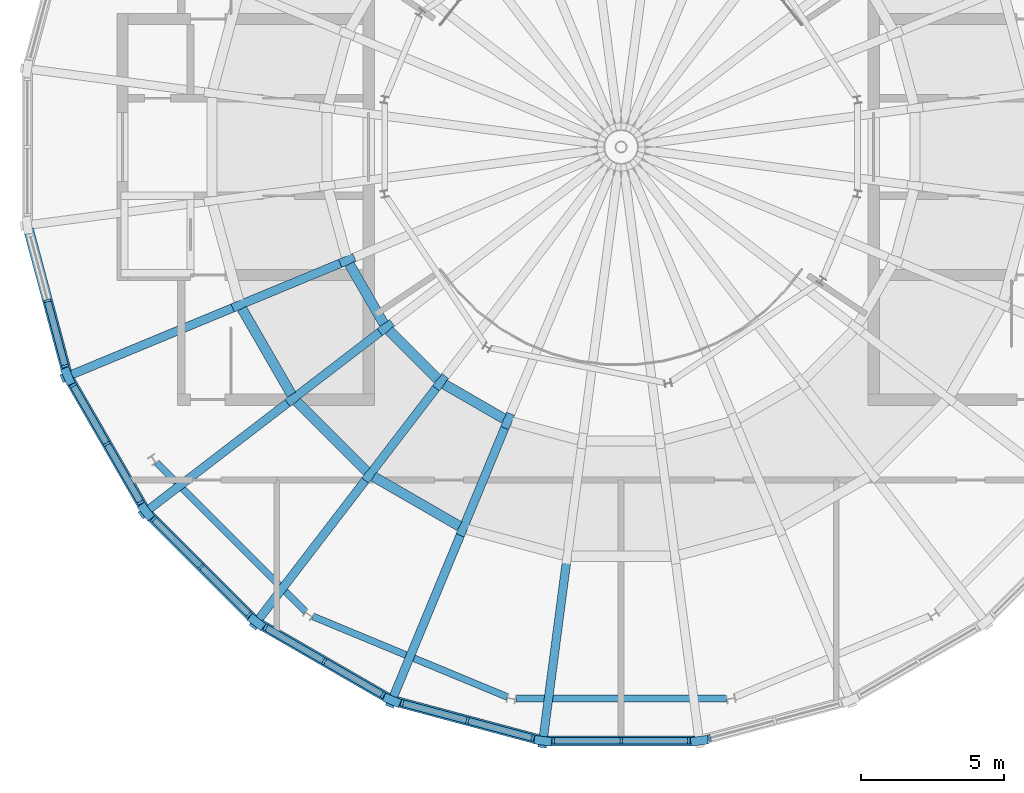
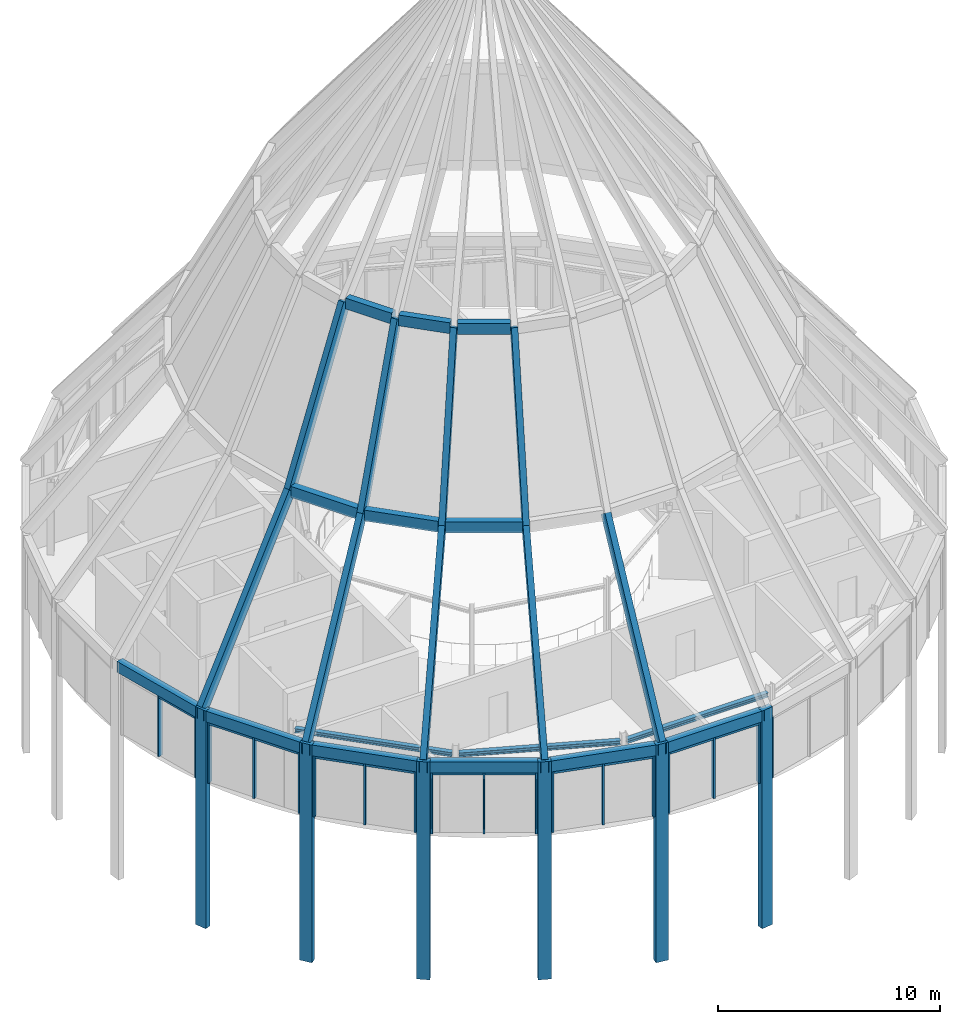
# One storey, part 4 of 16: 56 members, 3 beams, 7 elements without a shape of their own.
"""IFC4 building model written with IfcOpenShell, lengths in metres."""

from ifc_helpers import new_model, si_unit, direction, frame, origin, origin_2d, place, context, subcontext, project, spatial, rectangle, i_section, extrude, material, layer, layer_set, material_profile, profile_set, type_object, element, aggregate, save


model = new_model("IFC4")

# Units and contexts
model_context = context("Model", 3, precision=1e-05, world=origin(), true_north=direction((0.0, 1.0)))
body_context = subcontext(model_context, "Body", "Model", "MODEL_VIEW")
ifc_project = project(units=[si_unit("LENGTHUNIT", "METRE"), si_unit("AREAUNIT", "SQUARE_METRE"), si_unit("VOLUMEUNIT", "CUBIC_METRE"), si_unit("PLANEANGLEUNIT", "RADIAN"), si_unit("MASSUNIT", "GRAM", prefix="KILO")], contexts=[model_context])

# Site, building, storey
site_placement = place(None, origin())
site = spatial("IfcSite", under=ifc_project, at=site_placement, CompositionType="ELEMENT")
building_placement = place(site_placement, origin())
building = spatial("IfcBuilding", under=site, at=building_placement, Name="Maasbend Ring Residences", CompositionType="ELEMENT")
storey_placement = place(building_placement, frame((0.0, 0.0, 269.5)))
storey = spatial("IfcBuildingStorey", under=building, at=storey_placement, Name="L77", CompositionType="ELEMENT", Elevation=269.5)

# Members
ifc_material_1 = material(Name="Steel S355J2", Category="steel")
ifc_material_profile_1 = material_profile(ifc_material_1, rectangle(XDim=0.300048828125, YDim=0.60009765625, at=origin_2d()), Name="Box 300x600x12")
ifc_profile_set_1 = profile_set([ifc_material_profile_1], Name="Steel S355J2")
member_type_1 = type_object("IfcMemberType", Name="CROWN-RIB", PredefinedType="USERDEFINED", material=ifc_profile_set_1)
member_1_placement = place(storey_placement, frame((-19.28125, -7.986572265625, -8.0), z_axis=(0.0, 0.0, 1.0), x_axis=(-0.923879532511, -0.382683432365, 0.0)))
element("IfcMember", 1, at=member_1_placement, inside=storey, type_object=member_type_1, Name="Crown frame rib", ObjectType="CROWN FRAME", PredefinedType="USERDEFINED", context=body_context, shape_type="SweptSolid", body=[
    extrude(rectangle(XDim=0.300048828125, YDim=0.60009765625, at=origin_2d()), origin(), (0.0, 0.0, 1.0), 12.0),
])
member_2_placement = place(storey_placement, frame((-19.28125, -7.986572265625, 4.0), z_axis=(0.563468129772, 0.233399082314, 0.79248251407), x_axis=(-0.382687548315, 0.923877827618, 0.0)))
element("IfcMember", 2, at=member_2_placement, inside=storey, type_object=member_type_1, Name="Crown frame rib", ObjectType="CROWN FRAME", PredefinedType="USERDEFINED", context=body_context, shape_type="SweptSolid", body=[
    extrude(rectangle(XDim=0.300048828125, YDim=0.60009765625, at=origin_2d()), origin(), (0.0, 0.0, 1.0), 10.635009765625),
])
member_3_placement = place(storey_placement, frame((-13.288818359375, -5.50439453125, 12.427978515625), z_axis=(0.412417278661, 0.170832473334, 0.894834204932), x_axis=(-0.382690398388, 0.92387664706, 0.0)))
element("IfcMember", 3, at=member_3_placement, inside=storey, type_object=member_type_1, Name="Crown frame rib", ObjectType="CROWN FRAME", PredefinedType="USERDEFINED", context=body_context, shape_type="SweptSolid", body=[
    extrude(rectangle(XDim=0.300048828125, YDim=0.60009765625, at=origin_2d()), origin(), (0.0, 0.0, 1.0), 9.08203125),
])
member_4_placement = place(storey_placement, frame((-16.557373046875, -12.704833984375, -8.0), z_axis=(0.0, 0.0, 1.0), x_axis=(-0.793353340291, -0.608761429009, 0.0)))
element("IfcMember", 4, at=member_4_placement, inside=storey, type_object=member_type_1, Name="Crown frame rib", ObjectType="CROWN FRAME", PredefinedType="USERDEFINED", context=body_context, shape_type="SweptSolid", body=[
    extrude(rectangle(XDim=0.300048828125, YDim=0.60009765625, at=origin_2d()), origin(), (0.0, 0.0, 1.0), 12.0),
])
member_5_placement = place(storey_placement, frame((-16.557373046875, -12.704833984375, 4.0), z_axis=(0.483870756663, 0.37129355813, 0.792470936084), x_axis=(-0.608768103624, 0.793348218634, 0.0)))
element("IfcMember", 5, at=member_5_placement, inside=storey, type_object=member_type_1, Name="Crown frame rib", ObjectType="CROWN FRAME", PredefinedType="USERDEFINED", context=body_context, shape_type="SweptSolid", body=[
    extrude(rectangle(XDim=0.300048828125, YDim=0.60009765625, at=origin_2d()), origin(), (0.0, 0.0, 1.0), 10.635009765625),
])
member_6_placement = place(storey_placement, frame((-11.411376953125, -8.756103515625, 12.427978515625), z_axis=(0.354142742802, 0.271722699578, 0.894846183573), x_axis=(-0.608732403374, 0.7933756116, 0.0)))
element("IfcMember", 6, at=member_6_placement, inside=storey, type_object=member_type_1, Name="Crown frame rib", ObjectType="CROWN FRAME", PredefinedType="USERDEFINED", context=body_context, shape_type="SweptSolid", body=[
    extrude(rectangle(XDim=0.300048828125, YDim=0.60009765625, at=origin_2d()), origin(), (0.0, 0.0, 1.0), 9.08203125),
])
member_7_placement = place(storey_placement, frame((-12.704833984375, -16.557373046875, -8.0), z_axis=(0.0, 0.0, 1.0), x_axis=(-0.608761429009, -0.793353340291, 0.0)))
element("IfcMember", 7, at=member_7_placement, inside=storey, type_object=member_type_1, Name="Crown frame rib", ObjectType="CROWN FRAME", PredefinedType="USERDEFINED", context=body_context, shape_type="SweptSolid", body=[
    extrude(rectangle(XDim=0.300048828125, YDim=0.60009765625, at=origin_2d()), origin(), (0.0, 0.0, 1.0), 12.0),
])
member_8_placement = place(storey_placement, frame((-12.704833984375, -16.557373046875, 4.0), z_axis=(0.37129355813, 0.483870756663, 0.792470936084), x_axis=(-0.793348218634, 0.608768103624, 0.0)))
element("IfcMember", 8, at=member_8_placement, inside=storey, type_object=member_type_1, Name="Crown frame rib", ObjectType="CROWN FRAME", PredefinedType="USERDEFINED", context=body_context, shape_type="SweptSolid", body=[
    extrude(rectangle(XDim=0.300048828125, YDim=0.60009765625, at=origin_2d()), origin(), (0.0, 0.0, 1.0), 10.635009765625),
])
member_9_placement = place(storey_placement, frame((-8.756103515625, -11.411376953125, 12.427978515625), z_axis=(0.271722699578, 0.354142742802, 0.894846183573), x_axis=(-0.7933756116, 0.608732403374, 0.0)))
element("IfcMember", 9, at=member_9_placement, inside=storey, type_object=member_type_1, Name="Crown frame rib", ObjectType="CROWN FRAME", PredefinedType="USERDEFINED", context=body_context, shape_type="SweptSolid", body=[
    extrude(rectangle(XDim=0.300048828125, YDim=0.60009765625, at=origin_2d()), origin(), (0.0, 0.0, 1.0), 9.08203125),
])
member_10_placement = place(storey_placement, frame((-7.986572265625, -19.28125, -8.0), z_axis=(0.0, 0.0, 1.0), x_axis=(-0.382683432365, -0.923879532511, 0.0)))
element("IfcMember", 10, at=member_10_placement, inside=storey, type_object=member_type_1, Name="Crown frame rib", ObjectType="CROWN FRAME", PredefinedType="USERDEFINED", context=body_context, shape_type="SweptSolid", body=[
    extrude(rectangle(XDim=0.300048828125, YDim=0.60009765625, at=origin_2d()), origin(), (0.0, 0.0, 1.0), 12.0),
])
member_11_placement = place(storey_placement, frame((-7.986572265625, -19.28125, 4.0), z_axis=(0.233399082314, 0.563468129772, 0.79248251407), x_axis=(-0.923877827618, 0.382687548315, 0.0)))
element("IfcMember", 11, at=member_11_placement, inside=storey, type_object=member_type_1, Name="Crown frame rib", ObjectType="CROWN FRAME", PredefinedType="USERDEFINED", context=body_context, shape_type="SweptSolid", body=[
    extrude(rectangle(XDim=0.300048828125, YDim=0.60009765625, at=origin_2d()), origin(), (0.0, 0.0, 1.0), 10.635009765625),
])
member_12_placement = place(storey_placement, frame((-5.50439453125, -13.288818359375, 12.427978515625), z_axis=(0.170832473334, 0.412417278661, 0.894834204932), x_axis=(-0.92387664706, 0.382690398388, 0.0)))
element("IfcMember", 12, at=member_12_placement, inside=storey, type_object=member_type_1, Name="Crown frame rib", ObjectType="CROWN FRAME", PredefinedType="USERDEFINED", context=body_context, shape_type="SweptSolid", body=[
    extrude(rectangle(XDim=0.300048828125, YDim=0.60009765625, at=origin_2d()), origin(), (0.0, 0.0, 1.0), 9.08203125),
])
member_13_placement = place(storey_placement, frame((-2.72412109375, -20.69140625, -8.0), z_axis=(0.0, 0.0, 1.0), x_axis=(-0.13052619222, -0.991444861374, 0.0)))
element("IfcMember", 13, at=member_13_placement, inside=storey, type_object=member_type_1, Name="Crown frame rib", ObjectType="CROWN FRAME", PredefinedType="USERDEFINED", context=body_context, shape_type="SweptSolid", body=[
    extrude(rectangle(XDim=0.300048828125, YDim=0.60009765625, at=origin_2d()), origin(), (0.0, 0.0, 1.0), 12.0),
])
member_14_placement = place(storey_placement, frame((-2.72412109375, -20.69140625, 4.0), z_axis=(0.079612203208, 0.604690035961, 0.792471991625), x_axis=(-0.991444171841, 0.130531429632, 0.0)))
element("IfcMember", 14, at=member_14_placement, inside=storey, type_object=member_type_1, Name="Crown frame rib", ObjectType="CROWN FRAME", PredefinedType="USERDEFINED", context=body_context, shape_type="SweptSolid", body=[
    extrude(rectangle(XDim=0.300048828125, YDim=0.60009765625, at=origin_2d()), origin(), (0.0, 0.0, 1.0), 10.635009765625),
])
member_15_placement = place(storey_placement, frame((2.72412109375, -20.69140625, -8.0), z_axis=(0.0, 0.0, 1.0), x_axis=(0.13052619222, -0.991444861374, 0.0)))
element("IfcMember", 15, at=member_15_placement, inside=storey, type_object=member_type_1, Name="Crown frame rib", ObjectType="CROWN FRAME", PredefinedType="USERDEFINED", context=body_context, shape_type="SweptSolid", body=[
    extrude(rectangle(XDim=0.300048828125, YDim=0.60009765625, at=origin_2d()), origin(), (0.0, 0.0, 1.0), 12.0),
])
ifc_material_2 = material(Name="Steel S355J2", Category="steel")
ifc_material_profile_2 = material_profile(ifc_material_2, rectangle(XDim=0.35009765625, YDim=0.60009765625, at=origin_2d()), Name="Box 350x600x16")
ifc_profile_set_2 = profile_set([ifc_material_profile_2], Name="Steel S355J2")
member_type_2 = type_object("IfcMemberType", Name="CROWN-RING", PredefinedType="USERDEFINED", material=ifc_profile_set_2)
member_16_placement = place(storey_placement, frame((-20.652587890625, -2.868896484375, 3.699951171875), z_axis=(0.258825367631, -0.96592413215, 0.0), x_axis=(0.96592413215, 0.258825367631, 0.0)))
element("IfcMember", 16, at=member_16_placement, inside=storey, type_object=member_type_2, Name="Crown frame ring beam", ObjectType="CROWN FRAME", PredefinedType="USERDEFINED", context=body_context, shape_type="SweptSolid", body=[
    extrude(rectangle(XDim=0.35009765625, YDim=0.60009765625, at=origin_2d()), origin(), (0.0, 0.0, 1.0), 5.1484375),
])
member_17_placement = place(storey_placement, frame((-19.206298828125, -8.116455078125, 3.699951171875), z_axis=(0.499979704663, -0.866037120986, 0.0), x_axis=(0.866037120986, 0.499979704663, 0.0)))
element("IfcMember", 17, at=member_17_placement, inside=storey, type_object=member_type_2, Name="Crown frame ring beam", ObjectType="CROWN FRAME", PredefinedType="USERDEFINED", context=body_context, shape_type="SweptSolid", body=[
    extrude(rectangle(XDim=0.35009765625, YDim=0.60009765625, at=origin_2d()), origin(), (0.0, 0.0, 1.0), 5.148193359375),
])
member_18_placement = place(storey_placement, frame((-16.451171875, -12.81103515625, 3.699951171875), z_axis=(0.707106781187, -0.707106781187, 0.0), x_axis=(0.707106781187, 0.707106781187, 0.0)))
element("IfcMember", 18, at=member_18_placement, inside=storey, type_object=member_type_2, Name="Crown frame ring beam", ObjectType="CROWN FRAME", PredefinedType="USERDEFINED", context=body_context, shape_type="SweptSolid", body=[
    extrude(rectangle(XDim=0.35009765625, YDim=0.60009765625, at=origin_2d()), origin(), (0.0, 0.0, 1.0), 5.14794921875),
])
member_19_placement = place(storey_placement, frame((-12.574951171875, -16.63232421875, 3.699951171875), z_axis=(0.866037120986, -0.499979704663, 0.0), x_axis=(0.499979704663, 0.866037120986, 0.0)))
element("IfcMember", 19, at=member_19_placement, inside=storey, type_object=member_type_2, Name="Crown frame ring beam", ObjectType="CROWN FRAME", PredefinedType="USERDEFINED", context=body_context, shape_type="SweptSolid", body=[
    extrude(rectangle(XDim=0.35009765625, YDim=0.60009765625, at=origin_2d()), origin(), (0.0, 0.0, 1.0), 5.148193359375),
])
member_20_placement = place(storey_placement, frame((-7.841796875, -19.320068359375, 3.699951171875), z_axis=(0.96592413215, -0.258825367631, 0.0), x_axis=(0.258825367631, 0.96592413215, 0.0)))
element("IfcMember", 20, at=member_20_placement, inside=storey, type_object=member_type_2, Name="Crown frame ring beam", ObjectType="CROWN FRAME", PredefinedType="USERDEFINED", context=body_context, shape_type="SweptSolid", body=[
    extrude(rectangle(XDim=0.35009765625, YDim=0.60009765625, at=origin_2d()), origin(), (0.0, 0.0, 1.0), 5.1484375),
])
member_21_placement = place(storey_placement, frame((-2.573974609375, -20.69140625, 3.699951171875), z_axis=(1.0, 0.0, 0.0), x_axis=(0.0, 1.0, 0.0)))
element("IfcMember", 21, at=member_21_placement, inside=storey, type_object=member_type_2, Name="Crown frame ring beam", ObjectType="CROWN FRAME", PredefinedType="USERDEFINED", context=body_context, shape_type="SweptSolid", body=[
    extrude(rectangle(XDim=0.35009765625, YDim=0.60009765625, at=origin_2d()), origin(), (0.0, 0.0, 1.0), 5.14794921875),
])
for number, where, z_axis, x_axis, name in (
    (22, (-13.213623046875, -5.63427734375, 12.427978515625), (0.499977339252, -0.866038486578, 0.0), (0.866038486578, 0.499977339252, 0.0), "Crown frame ring beam"),
    (23, (-11.30517578125, -8.8623046875, 12.427978515625), (0.707106781187, -0.707106781187, 0.0), (0.707106781187, 0.707106781187, 0.0), "Crown frame ring beam"),
    (24, (-8.626220703125, -11.486328125, 12.427978515625), (0.866038486578, -0.499977339252, 0.0), (0.499977339252, 0.866038486578, 0.0), "Crown frame ring beam"),
):
    element("IfcMember", number, at=place(storey_placement, frame(where, z_axis=z_axis, x_axis=x_axis)), inside=storey, type_object=member_type_2, Name=name, ObjectType="CROWN FRAME", PredefinedType="USERDEFINED", context=body_context, shape_type="SweptSolid", body=[
        extrude(rectangle(XDim=0.35009765625, YDim=0.60009765625, at=origin_2d()), origin(), (0.0, 0.0, 1.0), 3.454833984375),
    ])
member_22_placement = place(storey_placement, frame((-9.46826171875, -4.082763671875, 20.554931640625), z_axis=(0.499951716245, -0.866053278629, 0.0), x_axis=(0.866053278629, 0.499951716245, 0.0)))
element("IfcMember", 25, at=member_22_placement, inside=storey, type_object=member_type_2, Name="Crown frame ring beam", ObjectType="CROWN FRAME", PredefinedType="USERDEFINED", context=body_context, shape_type="SweptSolid", body=[
    extrude(rectangle(XDim=0.35009765625, YDim=0.60009765625, at=origin_2d()), origin(), (0.0, 0.0, 1.0), 2.396728515625),
])
member_23_placement = place(storey_placement, frame((-8.0888671875, -6.394287109375, 20.554931640625), z_axis=(0.707106781187, -0.707106781187, 0.0), x_axis=(0.707106781187, 0.707106781187, 0.0)))
element("IfcMember", 26, at=member_23_placement, inside=storey, type_object=member_type_2, Name="Crown frame ring beam", ObjectType="CROWN FRAME", PredefinedType="USERDEFINED", context=body_context, shape_type="SweptSolid", body=[
    extrude(rectangle(XDim=0.35009765625, YDim=0.60009765625, at=origin_2d()), origin(), (0.0, 0.0, 1.0), 2.396484375),
])
member_24_placement = place(storey_placement, frame((-6.158447265625, -8.27001953125, 20.554931640625), z_axis=(0.866053278629, -0.499951716245, 0.0), x_axis=(0.499951716245, 0.866053278629, 0.0)))
element("IfcMember", 27, at=member_24_placement, inside=storey, type_object=member_type_2, Name="Crown frame ring beam", ObjectType="CROWN FRAME", PredefinedType="USERDEFINED", context=body_context, shape_type="SweptSolid", body=[
    extrude(rectangle(XDim=0.35009765625, YDim=0.60009765625, at=origin_2d()), origin(), (0.0, 0.0, 1.0), 2.396728515625),
])

# Curtain wall, members
ifc_material_3 = material(Name="Aluminium and clear glass", Category="aluminium")
ifc_layer = layer(ifc_material_3, 0.239990234375)
ifc_layer_set = layer_set([ifc_layer], Name="CW-CN")
curtain_wall_type = type_object("IfcCurtainWallType", Name="CW-CN", PredefinedType="NOTDEFINED", material=ifc_layer_set)
curtain_wall_1_placement = place(storey_placement, origin())
curtain_wall_1 = element("IfcCurtainWall", 28, at=curtain_wall_1_placement, inside=storey, type_object=curtain_wall_type, Name="Crown drum glazing 13 L77", PredefinedType="NOTDEFINED")
ifc_material_4 = material(Name="Aluminium 6063-T6", Category="aluminium")
ifc_material_profile_3 = material_profile(ifc_material_4, rectangle(XDim=0.239990234375, YDim=0.090087890625, at=origin_2d()), Name="AL 240x90")
ifc_profile_set_3 = profile_set([ifc_material_profile_3], Name="Aluminium 6063-T6")
member_type_3 = type_object("IfcMemberType", Name="CWM-CN", PredefinedType="MULLION", material=ifc_profile_set_3)
member_25_placement = place(storey_placement, frame((-19.986328125, -5.355224609375, 0.0), z_axis=(0.0, 0.0, 1.0), x_axis=(0.965925826289, 0.258819045103, 0.0)))
member_25 = element("IfcMember", 29, at=member_25_placement, type_object=member_type_3, Name="Mullion crown cone", PredefinedType="MULLION", context=body_context, shape_type="SweptSolid", body=[
    extrude(rectangle(XDim=0.239990234375, YDim=0.090087890625, at=origin_2d()), origin(), (0.0, 0.0, 1.0), 3.39990234375),
])
member_26_placement = place(storey_placement, frame((-19.375732421875, -7.634033203125, 0.0), z_axis=(0.0, 0.0, 1.0), x_axis=(0.965925826289, 0.258819045103, 0.0)))
member_26 = element("IfcMember", 30, at=member_26_placement, type_object=member_type_3, Name="Mullion crown cone", PredefinedType="MULLION", context=body_context, shape_type="SweptSolid", body=[
    extrude(rectangle(XDim=0.239990234375, YDim=0.090087890625, at=origin_2d()), origin(), (0.0, 0.0, 1.0), 3.39990234375),
])

curtain_wall_2_placement = place(storey_placement, origin())
curtain_wall_2 = element("IfcCurtainWall", 31, at=curtain_wall_2_placement, inside=storey, type_object=curtain_wall_type, Name="Crown drum glazing 14 L77", PredefinedType="NOTDEFINED")
member_27_placement = place(storey_placement, frame((-19.098876953125, -8.302734375, 0.0), z_axis=(0.0, 0.0, 1.0), x_axis=(0.866025403784, 0.5, 0.0)))
member_27 = element("IfcMember", 32, at=member_27_placement, type_object=member_type_3, Name="Mullion crown cone", PredefinedType="MULLION", context=body_context, shape_type="SweptSolid", body=[
    extrude(rectangle(XDim=0.239990234375, YDim=0.090087890625, at=origin_2d()), origin(), (0.0, 0.0, 1.0), 3.39990234375),
])
member_28_placement = place(storey_placement, frame((-17.91943359375, -10.345703125, 0.0), z_axis=(0.0, 0.0, 1.0), x_axis=(0.866025403784, 0.5, 0.0)))
member_28 = element("IfcMember", 33, at=member_28_placement, type_object=member_type_3, Name="Mullion crown cone", PredefinedType="MULLION", context=body_context, shape_type="SweptSolid", body=[
    extrude(rectangle(XDim=0.239990234375, YDim=0.090087890625, at=origin_2d()), origin(), (0.0, 0.0, 1.0), 3.39990234375),
])
member_29_placement = place(storey_placement, frame((-16.73974609375, -12.388671875, 0.0), z_axis=(0.0, 0.0, 1.0), x_axis=(0.866025403784, 0.5, 0.0)))
member_29 = element("IfcMember", 34, at=member_29_placement, type_object=member_type_3, Name="Mullion crown cone", PredefinedType="MULLION", context=body_context, shape_type="SweptSolid", body=[
    extrude(rectangle(XDim=0.239990234375, YDim=0.090087890625, at=origin_2d()), origin(), (0.0, 0.0, 1.0), 3.39990234375),
])

curtain_wall_3_placement = place(storey_placement, origin())
curtain_wall_3 = element("IfcCurtainWall", 35, at=curtain_wall_3_placement, inside=storey, type_object=curtain_wall_type, Name="Crown drum glazing 15 L77", PredefinedType="NOTDEFINED")
member_30_placement = place(storey_placement, frame((-16.299072265625, -12.962890625, 0.0), z_axis=(0.0, 0.0, 1.0), x_axis=(0.707106781187, 0.707106781187, 0.0)))
member_30 = element("IfcMember", 36, at=member_30_placement, type_object=member_type_3, Name="Mullion crown cone", PredefinedType="MULLION", context=body_context, shape_type="SweptSolid", body=[
    extrude(rectangle(XDim=0.239990234375, YDim=0.090087890625, at=origin_2d()), origin(), (0.0, 0.0, 1.0), 3.39990234375),
])
member_31_placement = place(storey_placement, frame((-14.631103515625, -14.631103515625, 0.0), z_axis=(0.0, 0.0, 1.0), x_axis=(0.707106781187, 0.707106781187, 0.0)))
member_31 = element("IfcMember", 37, at=member_31_placement, type_object=member_type_3, Name="Mullion crown cone", PredefinedType="MULLION", context=body_context, shape_type="SweptSolid", body=[
    extrude(rectangle(XDim=0.239990234375, YDim=0.090087890625, at=origin_2d()), origin(), (0.0, 0.0, 1.0), 3.39990234375),
])
member_32_placement = place(storey_placement, frame((-12.962890625, -16.299072265625, 0.0), z_axis=(0.0, 0.0, 1.0), x_axis=(0.707106781187, 0.707106781187, 0.0)))
member_32 = element("IfcMember", 38, at=member_32_placement, type_object=member_type_3, Name="Mullion crown cone", PredefinedType="MULLION", context=body_context, shape_type="SweptSolid", body=[
    extrude(rectangle(XDim=0.239990234375, YDim=0.090087890625, at=origin_2d()), origin(), (0.0, 0.0, 1.0), 3.39990234375),
])

curtain_wall_4_placement = place(storey_placement, origin())
curtain_wall_4 = element("IfcCurtainWall", 39, at=curtain_wall_4_placement, inside=storey, type_object=curtain_wall_type, Name="Crown drum glazing 16 L77", PredefinedType="NOTDEFINED")
member_33_placement = place(storey_placement, frame((-12.388671875, -16.73974609375, 0.0), z_axis=(0.0, 0.0, 1.0), x_axis=(0.5, 0.866025403784, 0.0)))
member_33 = element("IfcMember", 40, at=member_33_placement, type_object=member_type_3, Name="Mullion crown cone", PredefinedType="MULLION", context=body_context, shape_type="SweptSolid", body=[
    extrude(rectangle(XDim=0.239990234375, YDim=0.090087890625, at=origin_2d()), origin(), (0.0, 0.0, 1.0), 3.39990234375),
])
member_34_placement = place(storey_placement, frame((-10.345703125, -17.91943359375, 0.0), z_axis=(0.0, 0.0, 1.0), x_axis=(0.5, 0.866025403784, 0.0)))
member_34 = element("IfcMember", 41, at=member_34_placement, type_object=member_type_3, Name="Mullion crown cone", PredefinedType="MULLION", context=body_context, shape_type="SweptSolid", body=[
    extrude(rectangle(XDim=0.239990234375, YDim=0.090087890625, at=origin_2d()), origin(), (0.0, 0.0, 1.0), 3.39990234375),
])
member_35_placement = place(storey_placement, frame((-8.302734375, -19.098876953125, 0.0), z_axis=(0.0, 0.0, 1.0), x_axis=(0.5, 0.866025403784, 0.0)))
member_35 = element("IfcMember", 42, at=member_35_placement, type_object=member_type_3, Name="Mullion crown cone", PredefinedType="MULLION", context=body_context, shape_type="SweptSolid", body=[
    extrude(rectangle(XDim=0.239990234375, YDim=0.090087890625, at=origin_2d()), origin(), (0.0, 0.0, 1.0), 3.39990234375),
])

curtain_wall_5_placement = place(storey_placement, origin())
curtain_wall_5 = element("IfcCurtainWall", 43, at=curtain_wall_5_placement, inside=storey, type_object=curtain_wall_type, Name="Crown drum glazing 17 L77", PredefinedType="NOTDEFINED")
member_36_placement = place(storey_placement, frame((-7.634033203125, -19.375732421875, 0.0), z_axis=(0.0, 0.0, 1.0), x_axis=(0.258819045103, 0.965925826289, 0.0)))
member_36 = element("IfcMember", 44, at=member_36_placement, type_object=member_type_3, Name="Mullion crown cone", PredefinedType="MULLION", context=body_context, shape_type="SweptSolid", body=[
    extrude(rectangle(XDim=0.239990234375, YDim=0.090087890625, at=origin_2d()), origin(), (0.0, 0.0, 1.0), 3.39990234375),
])
member_37_placement = place(storey_placement, frame((-5.355224609375, -19.986328125, 0.0), z_axis=(0.0, 0.0, 1.0), x_axis=(0.258819045103, 0.965925826289, 0.0)))
member_37 = element("IfcMember", 45, at=member_37_placement, type_object=member_type_3, Name="Mullion crown cone", PredefinedType="MULLION", context=body_context, shape_type="SweptSolid", body=[
    extrude(rectangle(XDim=0.239990234375, YDim=0.090087890625, at=origin_2d()), origin(), (0.0, 0.0, 1.0), 3.39990234375),
])
member_38_placement = place(storey_placement, frame((-3.07666015625, -20.596923828125, 0.0), z_axis=(0.0, 0.0, 1.0), x_axis=(0.258819045103, 0.965925826289, 0.0)))
member_38 = element("IfcMember", 46, at=member_38_placement, type_object=member_type_3, Name="Mullion crown cone", PredefinedType="MULLION", context=body_context, shape_type="SweptSolid", body=[
    extrude(rectangle(XDim=0.239990234375, YDim=0.090087890625, at=origin_2d()), origin(), (0.0, 0.0, 1.0), 3.39990234375),
])

curtain_wall_6_placement = place(storey_placement, origin())
curtain_wall_6 = element("IfcCurtainWall", 47, at=curtain_wall_6_placement, inside=storey, type_object=curtain_wall_type, Name="Crown drum glazing 18 L77", PredefinedType="NOTDEFINED")
member_39_placement = place(storey_placement, frame((-2.359130859375, -20.69140625, 0.0), z_axis=(0.0, 0.0, 1.0), x_axis=(0.0, 1.0, 0.0)))
member_39 = element("IfcMember", 48, at=member_39_placement, type_object=member_type_3, Name="Mullion crown cone", PredefinedType="MULLION", context=body_context, shape_type="SweptSolid", body=[
    extrude(rectangle(XDim=0.239990234375, YDim=0.090087890625, at=origin_2d()), origin(), (0.0, 0.0, 1.0), 3.39990234375),
])
member_40_placement = place(storey_placement, frame((0.0, -20.69140625, 0.0), z_axis=(0.0, 0.0, 1.0), x_axis=(0.0, 1.0, 0.0)))
member_40 = element("IfcMember", 49, at=member_40_placement, type_object=member_type_3, Name="Mullion crown cone", PredefinedType="MULLION", context=body_context, shape_type="SweptSolid", body=[
    extrude(rectangle(XDim=0.239990234375, YDim=0.090087890625, at=origin_2d()), origin(), (0.0, 0.0, 1.0), 3.39990234375),
])
member_41_placement = place(storey_placement, frame((2.359130859375, -20.69140625, 0.0), z_axis=(0.0, 0.0, 1.0), x_axis=(0.0, 1.0, 0.0)))
member_41 = element("IfcMember", 50, at=member_41_placement, type_object=member_type_3, Name="Mullion crown cone", PredefinedType="MULLION", context=body_context, shape_type="SweptSolid", body=[
    extrude(rectangle(XDim=0.239990234375, YDim=0.090087890625, at=origin_2d()), origin(), (0.0, 0.0, 1.0), 3.39990234375),
])

# Curtain wall, member
curtain_wall_7_placement = place(storey_placement, origin())
curtain_wall_7 = element("IfcCurtainWall", 51, at=curtain_wall_7_placement, inside=storey, type_object=curtain_wall_type, Name="Crown drum glazing 19 L77", PredefinedType="NOTDEFINED")
member_42_placement = place(storey_placement, frame((3.07666015625, -20.596923828125, 0.0), z_axis=(0.0, 0.0, 1.0), x_axis=(-0.258819045103, 0.965925826289, 0.0)))
member_42 = element("IfcMember", 52, at=member_42_placement, type_object=member_type_3, Name="Mullion crown cone", PredefinedType="MULLION", context=body_context, shape_type="SweptSolid", body=[
    extrude(rectangle(XDim=0.239990234375, YDim=0.090087890625, at=origin_2d()), origin(), (0.0, 0.0, 1.0), 3.39990234375),
])
aggregate(curtain_wall_7, [member_42])

# Member
ifc_material_5 = material(Name="Aluminium 6063-T6", Category="aluminium")
ifc_material_profile_4 = material_profile(ifc_material_5, rectangle(XDim=0.239990234375, YDim=0.159912109375, at=origin_2d()), Name="AL 240x160")
ifc_profile_set_4 = profile_set([ifc_material_profile_4], Name="Aluminium 6063-T6")
member_type_4 = type_object("IfcMemberType", Name="CWT-CN", PredefinedType="USERDEFINED", material=ifc_profile_set_4)
member_43_placement = place(storey_placement, frame((-19.974853515625, -5.39892578125, 3.320068359375), z_axis=(0.258881296667, -0.965909143883, 0.0), x_axis=(0.965909143883, 0.258881296667, 0.0)))
member_43 = element("IfcMember", 53, at=member_43_placement, type_object=member_type_4, Name="Transom crown cone", ObjectType="TRANSOM", PredefinedType="USERDEFINED", context=body_context, shape_type="SweptSolid", body=[
    extrude(rectangle(XDim=0.239990234375, YDim=0.159912109375, at=origin_2d()), origin(), (0.0, 0.0, 1.0), 2.26904296875),
])

aggregate(curtain_wall_1, [member_25, member_26, member_43])

member_44_placement = place(storey_placement, frame((-19.076416015625, -8.341552734375, 3.320068359375), z_axis=(0.49999255039, -0.866029704776, 0.0), x_axis=(0.866029704776, 0.49999255039, 0.0)))
member_44 = element("IfcMember", 54, at=member_44_placement, type_object=member_type_4, Name="Transom crown cone", ObjectType="TRANSOM", PredefinedType="USERDEFINED", context=body_context, shape_type="SweptSolid", body=[
    extrude(rectangle(XDim=0.239990234375, YDim=0.159912109375, at=origin_2d()), origin(), (0.0, 0.0, 1.0), 2.26904296875),
])

member_45_placement = place(storey_placement, frame((-17.896728515625, -10.384765625, 3.320068359375), z_axis=(0.49999255039, -0.866029704776, 0.0), x_axis=(0.866029704776, 0.49999255039, 0.0)))
member_45 = element("IfcMember", 55, at=member_45_placement, type_object=member_type_4, Name="Transom crown cone", ObjectType="TRANSOM", PredefinedType="USERDEFINED", context=body_context, shape_type="SweptSolid", body=[
    extrude(rectangle(XDim=0.239990234375, YDim=0.159912109375, at=origin_2d()), origin(), (0.0, 0.0, 1.0), 2.26904296875),
])

aggregate(curtain_wall_2, [member_27, member_28, member_29, member_44, member_45])

member_46_placement = place(storey_placement, frame((-16.267333984375, -12.994873046875, 3.320068359375), z_axis=(0.707106781187, -0.707106781187, 0.0), x_axis=(0.707106781187, 0.707106781187, 0.0)))
member_46 = element("IfcMember", 56, at=member_46_placement, type_object=member_type_4, Name="Transom crown cone", ObjectType="TRANSOM", PredefinedType="USERDEFINED", context=body_context, shape_type="SweptSolid", body=[
    extrude(rectangle(XDim=0.239990234375, YDim=0.159912109375, at=origin_2d()), origin(), (0.0, 0.0, 1.0), 2.26904296875),
])

member_47_placement = place(storey_placement, frame((-14.599365234375, -14.662841796875, 3.320068359375), z_axis=(0.707106781187, -0.707106781187, 0.0), x_axis=(0.707106781187, 0.707106781187, 0.0)))
member_47 = element("IfcMember", 57, at=member_47_placement, type_object=member_type_4, Name="Transom crown cone", ObjectType="TRANSOM", PredefinedType="USERDEFINED", context=body_context, shape_type="SweptSolid", body=[
    extrude(rectangle(XDim=0.239990234375, YDim=0.159912109375, at=origin_2d()), origin(), (0.0, 0.0, 1.0), 2.26904296875),
])

aggregate(curtain_wall_3, [member_30, member_31, member_32, member_46, member_47])

member_48_placement = place(storey_placement, frame((-12.349853515625, -16.76220703125, 3.320068359375), z_axis=(0.866029704776, -0.49999255039, 0.0), x_axis=(0.49999255039, 0.866029704776, 0.0)))
member_48 = element("IfcMember", 58, at=member_48_placement, type_object=member_type_4, Name="Transom crown cone", ObjectType="TRANSOM", PredefinedType="USERDEFINED", context=body_context, shape_type="SweptSolid", body=[
    extrude(rectangle(XDim=0.239990234375, YDim=0.159912109375, at=origin_2d()), origin(), (0.0, 0.0, 1.0), 2.26904296875),
])

member_49_placement = place(storey_placement, frame((-10.306640625, -17.94189453125, 3.320068359375), z_axis=(0.866029704776, -0.49999255039, 0.0), x_axis=(0.49999255039, 0.866029704776, 0.0)))
member_49 = element("IfcMember", 59, at=member_49_placement, type_object=member_type_4, Name="Transom crown cone", ObjectType="TRANSOM", PredefinedType="USERDEFINED", context=body_context, shape_type="SweptSolid", body=[
    extrude(rectangle(XDim=0.239990234375, YDim=0.159912109375, at=origin_2d()), origin(), (0.0, 0.0, 1.0), 2.26904296875),
])

aggregate(curtain_wall_4, [member_33, member_34, member_35, member_48, member_49])

member_50_placement = place(storey_placement, frame((-7.590576171875, -19.387451171875, 3.320068359375), z_axis=(0.965909143883, -0.258881296667, 0.0), x_axis=(0.258881296667, 0.965909143883, 0.0)))
member_50 = element("IfcMember", 60, at=member_50_placement, type_object=member_type_4, Name="Transom crown cone", ObjectType="TRANSOM", PredefinedType="USERDEFINED", context=body_context, shape_type="SweptSolid", body=[
    extrude(rectangle(XDim=0.239990234375, YDim=0.159912109375, at=origin_2d()), origin(), (0.0, 0.0, 1.0), 2.26904296875),
])

member_51_placement = place(storey_placement, frame((-5.311767578125, -19.998046875, 3.320068359375), z_axis=(0.965909143883, -0.258881296667, 0.0), x_axis=(0.258881296667, 0.965909143883, 0.0)))
member_51 = element("IfcMember", 61, at=member_51_placement, type_object=member_type_4, Name="Transom crown cone", ObjectType="TRANSOM", PredefinedType="USERDEFINED", context=body_context, shape_type="SweptSolid", body=[
    extrude(rectangle(XDim=0.239990234375, YDim=0.159912109375, at=origin_2d()), origin(), (0.0, 0.0, 1.0), 2.26904296875),
])

aggregate(curtain_wall_5, [member_36, member_37, member_38, member_50, member_51])

member_52_placement = place(storey_placement, frame((-2.31396484375, -20.69140625, 3.320068359375), z_axis=(1.0, 0.0, 0.0), x_axis=(0.0, 1.0, 0.0)))
member_52 = element("IfcMember", 62, at=member_52_placement, type_object=member_type_4, Name="Transom crown cone", ObjectType="TRANSOM", PredefinedType="USERDEFINED", context=body_context, shape_type="SweptSolid", body=[
    extrude(rectangle(XDim=0.239990234375, YDim=0.159912109375, at=origin_2d()), origin(), (0.0, 0.0, 1.0), 2.26904296875),
])

member_53_placement = place(storey_placement, frame((0.044921875, -20.69140625, 3.320068359375), z_axis=(1.0, 0.0, 0.0), x_axis=(0.0, 1.0, 0.0)))
member_53 = element("IfcMember", 63, at=member_53_placement, type_object=member_type_4, Name="Transom crown cone", ObjectType="TRANSOM", PredefinedType="USERDEFINED", context=body_context, shape_type="SweptSolid", body=[
    extrude(rectangle(XDim=0.239990234375, YDim=0.159912109375, at=origin_2d()), origin(), (0.0, 0.0, 1.0), 2.26904296875),
])

aggregate(curtain_wall_6, [member_39, member_40, member_41, member_52, member_53])

# Beams
ifc_material_6 = material(Name="Steel S355J2", Category="steel")
ifc_material_profile_5 = material_profile(ifc_material_6, i_section(OverallWidth=0.239990234375, OverallDepth=0.22998046875, WebThickness=0.007568359375, FlangeThickness=0.011962890625, FilletRadius=0.02099609375, at=origin_2d()), Name="HEA 240")
ifc_profile_set_5 = profile_set([ifc_material_profile_5], Name="Steel S355J2")
beam_type = type_object("IfcBeamType", Name="Corridor ring beam HEA 240", PredefinedType="BEAM", material=ifc_profile_set_5)
beam_1_placement = place(storey_placement, frame((-16.188720703125, -10.997314453125, 3.534912109375), z_axis=(0.707106781187, -0.707106781187, 0.0), x_axis=(0.707106781187, 0.707106781187, 0.0)))
element("IfcBeam", 64, at=beam_1_placement, inside=storey, type_object=beam_type, Name="Corridor ring beam", PredefinedType="BEAM", context=body_context, shape_type="SweptSolid", body=[
    extrude(i_section(OverallWidth=0.239990234375, OverallDepth=0.22998046875, WebThickness=0.007568359375, FlangeThickness=0.011962890625, FilletRadius=0.02099609375, at=origin_2d()), origin(), (0.0, 0.0, 1.0), 7.341796875),
])
beam_2_placement = place(storey_placement, frame((-10.747802734375, -16.355224609375, 3.534912109375), z_axis=(0.923875784142, -0.382692481603, 0.0), x_axis=(0.382692481603, 0.923875784142, 0.0)))
element("IfcBeam", 65, at=beam_2_placement, inside=storey, type_object=beam_type, Name="Corridor ring beam", PredefinedType="BEAM", context=body_context, shape_type="SweptSolid", body=[
    extrude(i_section(OverallWidth=0.239990234375, OverallDepth=0.22998046875, WebThickness=0.007568359375, FlangeThickness=0.011962890625, FilletRadius=0.02099609375, at=origin_2d()), origin(), (0.0, 0.0, 1.0), 7.341552734375),
])
beam_3_placement = place(storey_placement, frame((-3.6708984375, -19.223388671875, 3.534912109375), z_axis=(1.0, 0.0, 0.0), x_axis=(0.0, 1.0, 0.0)))
element("IfcBeam", 66, at=beam_3_placement, inside=storey, type_object=beam_type, Name="Corridor ring beam", PredefinedType="BEAM", context=body_context, shape_type="SweptSolid", body=[
    extrude(i_section(OverallWidth=0.239990234375, OverallDepth=0.22998046875, WebThickness=0.007568359375, FlangeThickness=0.011962890625, FilletRadius=0.02099609375, at=origin_2d()), origin(), (0.0, 0.0, 1.0), 7.341796875),
])

save(model, "model.ifc")
